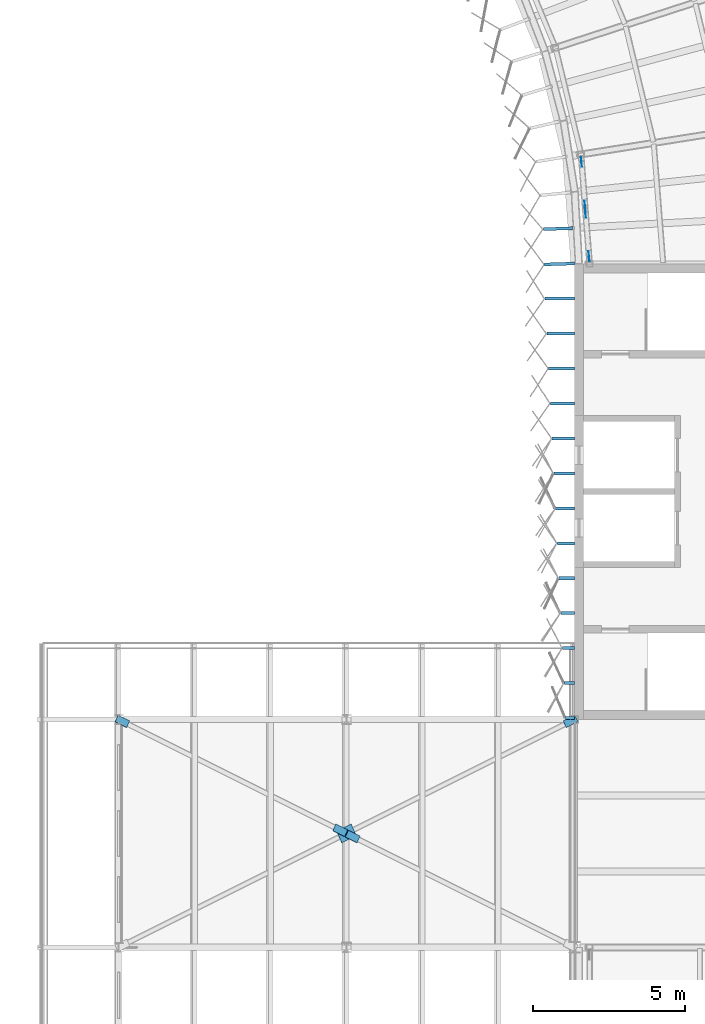
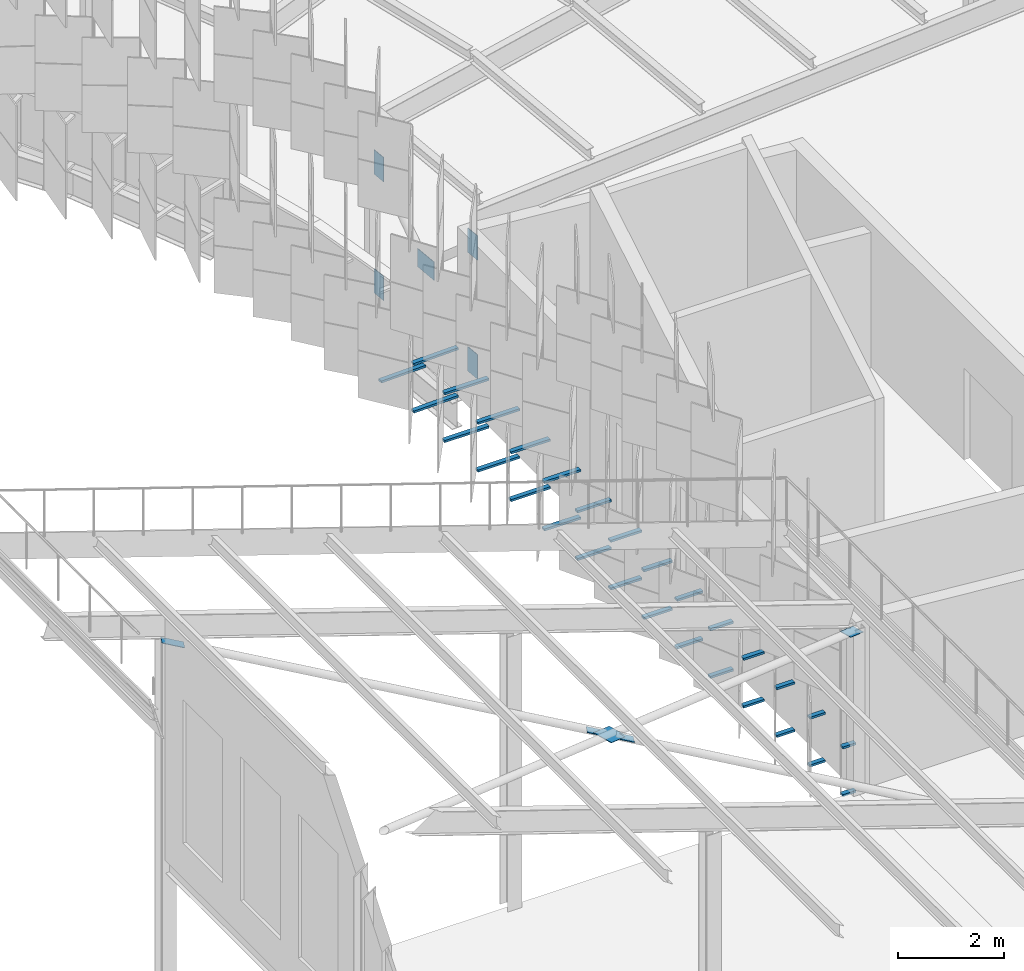
# One storey, part 445 of 483: 39 discrete accessories.
"""IFC4 building model written with IfcOpenShell, lengths in metres."""

from ifc_helpers import new_model, si_unit, direction, frame, origin, origin_2d, place, context, subcontext, project, spatial, polyline, rectangle, outline, extrude, material, layer, layer_set, type_object, element, save


model = new_model("IFC4")

# Units and contexts
model_context = context("Model", 3, precision=1e-05, world=origin(), true_north=direction((0.0, 1.0)))
body_context = subcontext(model_context, "Body", "Model", "MODEL_VIEW")
ifc_project = project(units=[si_unit("LENGTHUNIT", "METRE"), si_unit("AREAUNIT", "SQUARE_METRE"), si_unit("VOLUMEUNIT", "CUBIC_METRE"), si_unit("PLANEANGLEUNIT", "RADIAN"), si_unit("MASSUNIT", "GRAM", prefix="KILO")], contexts=[model_context])

# Site, building, storey
site_placement = place(None, origin())
site = spatial("IfcSite", under=ifc_project, at=site_placement, CompositionType="ELEMENT")
building_placement = place(site_placement, origin())
building = spatial("IfcBuilding", under=site, at=building_placement, Name="Parallax Yard Mobility Hub", CompositionType="ELEMENT")
storey_placement = place(building_placement, frame((0.0, 0.0, 13.199951171875)))
storey = spatial("IfcBuildingStorey", under=building, at=storey_placement, Name="L04", CompositionType="ELEMENT", Elevation=13.199951171875)

# Discrete accessories
ifc_material_1 = material(Name="Steel ASTM A36", Category="steel")
ifc_layer = layer(ifc_material_1, 0.011962890625)
ifc_layer_set = layer_set([ifc_layer], Name="Gusset plate PL12")
discrete_accessory_type_1 = type_object("IfcDiscreteAccessoryType", Name="Gusset plate PL12", PredefinedType="BRACKET", material=ifc_layer_set)
discrete_accessory_1_placement = place(storey_placement, frame((194.73486328125, 74.72998046875, 3.7998046875), z_axis=(0.316512413132, -2.9719174e-05, 0.94858836776), x_axis=(0.856981072788, 0.428749284284, -0.285932670588)))
element("IfcDiscreteAccessory", 1, at=discrete_accessory_1_placement, inside=storey, type_object=discrete_accessory_type_1, Name="Gusset plate PL12 at end 2 of Roof X brace end bay 2 1", PredefinedType="BRACKET", context=body_context, shape_type="SweptSolid", body=[
    extrude(outline(polyline([(0.0, 0.0), (0.44813758942511567, 5.551115123125783e-17), (0.4482910807958328, 0.24827716136113695), (-5.573252400644345e-05, 0.24837645288605745), (0.0, 0.0)])), origin(), (0.0, 0.0, -1.0), 0.011962890625),
])
discrete_accessory_2_placement = place(storey_placement, frame((187.9482421875, 71.163330078125, 6.06201171875), z_axis=(0.315953775405, -0.000207164199, 0.948774561679), x_axis=(-0.857177289292, 0.428615832061, 0.285544327959)))
element("IfcDiscreteAccessory", 2, at=discrete_accessory_2_placement, inside=storey, type_object=discrete_accessory_type_1, Name="Gusset plate PL12 at end 2 of Roof X brace end bay 2 2 (half 1)", PredefinedType="BRACKET", context=body_context, shape_type="SweptSolid", body=[
    extrude(outline(polyline([(0.0, 0.0), (0.44827708521174847, -3.469446951953614e-18), (0.4483695083956155, 0.24837643293553063), (-0.00018656158596949864, 0.24824411746515812), (0.0, 0.0)])), origin(), (0.0, 0.0, -1.0), 0.011962890625),
])
discrete_accessory_3_placement = place(storey_placement, frame((187.0517578125, 71.336669921875, 6.36083984375), z_axis=(0.316364726574, 0.00010356715, 0.948637627893), x_axis=(0.857125645852, -0.428549188831, -0.285799265177)))
element("IfcDiscreteAccessory", 3, at=discrete_accessory_3_placement, inside=storey, type_object=discrete_accessory_type_1, Name="Gusset plate PL12 at end 1 of Roof X brace end bay 2 2 (half 2)", PredefinedType="BRACKET", context=body_context, shape_type="SweptSolid", body=[
    extrude(outline(polyline([(0.0, 0.0), (0.4483468243160137, -1.3877787807814457e-17), (0.44845756929693514, 0.24837643445245794), (-9.851420996034692e-05, 0.24827718926532116), (0.0, 0.0)])), origin(), (0.0, 0.0, -1.0), 0.011962890625),
])
discrete_accessory_4_placement = place(storey_placement, frame((180.3662109375, 74.954345703125, 8.58935546875), z_axis=(0.316069492494, 0.000251179493, 0.948736007973), x_axis=(-0.857204522224, 0.428615884602, 0.285462485355)))
element("IfcDiscreteAccessory", 4, at=discrete_accessory_4_placement, inside=storey, type_object=discrete_accessory_type_1, Name="Gusset plate PL12 at end 2 of Roof X brace end bay 2 2 (half 2)", PredefinedType="BRACKET", context=body_context, shape_type="SweptSolid", body=[
    extrude(outline(polyline([(0.0, 0.0), (0.44827709020723705, 1.3877787807814457e-17), (0.4481602183097496, 0.24827718130806853), (9.240655032108705e-05, 0.24837644195772404), (0.0, 0.0)])), origin(), (0.0, 0.0, -1.0), 0.011962890625),
])
discrete_accessory_5_placement = place(storey_placement, frame((187.345458984375, 70.940185546875, 6.262939453125), z_axis=(0.316324226259, -5.3463492e-05, 0.948651137681), x_axis=(0.856976911048, 0.428891611167, -0.285731621984)))
element("IfcDiscreteAccessory", 5, at=discrete_accessory_5_placement, inside=storey, type_object=discrete_accessory_type_1, Name="Gusset plate PL12 crossing node of Roof X brace end bay 2 2", PredefinedType="BRACKET", context=body_context, shape_type="SweptSolid", body=[
    extrude(outline(polyline([(0.0, 0.0), (0.5601283927074551, 6.938893903907228e-18), (0.5600679743667011, 0.42001212024316414), (9.34035601929395e-06, 0.4199789867900318), (0.0, 0.0)])), origin(), (0.0, 0.0, -1.0), 0.011962890625),
])
discrete_accessory_6_placement = place(storey_placement, frame((0.0, 0.0, 0.150146484375)))
element("IfcDiscreteAccessory", 6, at=discrete_accessory_6_placement, inside=storey, type_object=discrete_accessory_type_1, Name="Gusset plate PL12 RA bay R9-R10 foot on post R9", PredefinedType="BRACKET", context=body_context, shape_type="SweptSolid", body=[
    extrude(outline(polyline([(195.2177734375, 93.508544921875), (195.242919921875, 93.189453125), (195.2548828125, 93.1904296875), (195.229736328125, 93.509521484375), (195.2177734375, 93.508544921875)])), origin(), (0.0, 0.0, 1.0), 0.56201171875),
])
for number, where, name in (
    (7, (0.0, 0.0, 2.8779296875), "Gusset plate PL12 RA bay R9-R10 head on post R10"),
    (8, (0.0, 0.0, 0.150146484375), "Gusset plate PL12 RA bay R9-R10 foot on post R10"),
):
    element("IfcDiscreteAccessory", number, at=place(storey_placement, frame(where)), inside=storey, type_object=discrete_accessory_type_1, Name=name, PredefinedType="BRACKET", context=body_context, shape_type="SweptSolid", body=[
        extrude(outline(polyline([(195.4990234375, 90.089599609375), (195.473876953125, 90.408447265625), (195.4619140625, 90.407470703125), (195.487060546875, 90.08837890625), (195.4990234375, 90.089599609375)])), origin(), (0.0, 0.0, 1.0), 0.56201171875),
    ])
discrete_accessory_7_placement = place(storey_placement, frame((0.0, 0.0, 2.8779296875)))
element("IfcDiscreteAccessory", 9, at=discrete_accessory_7_placement, inside=storey, type_object=discrete_accessory_type_1, Name="Gusset plate PL12 RA bay R9-R10 head on post R9", PredefinedType="BRACKET", context=body_context, shape_type="SweptSolid", body=[
    extrude(outline(polyline([(195.2177734375, 93.508544921875), (195.242919921875, 93.189453125), (195.2548828125, 93.1904296875), (195.229736328125, 93.509521484375), (195.2177734375, 93.508544921875)])), origin(), (0.0, 0.0, 1.0), 0.56201171875),
])
discrete_accessory_8_placement = place(storey_placement, frame((0.0, 0.0, 1.5849609375)))
element("IfcDiscreteAccessory", 10, at=discrete_accessory_8_placement, inside=storey, type_object=discrete_accessory_type_1, Name="Gusset plate PL12 RA bay R9-R10 crossing node", PredefinedType="BRACKET", context=body_context, shape_type="SweptSolid", body=[
    extrude(outline(polyline([(195.330322265625, 92.07763671875), (195.37451171875, 91.519287109375), (195.386474609375, 91.520263671875), (195.34228515625, 92.07861328125), (195.330322265625, 92.07763671875)])), origin(), (0.0, 0.0, 1.0), 0.420166015625),
])
ifc_material_2 = material(Name="Steel ASTM A36, hot-dip galvanised", Category="steel")
discrete_accessory_type_2 = type_object("IfcDiscreteAccessoryType", Name="Hinge bracket plate 100x50", PredefinedType="BRACKET", material=ifc_material_2)
for number, where, z_axis, x_axis, name in (
    (11, (194.47021484375, 91.155029296875, -0.02490234375), (0.0, 0.0, 1.0), (-0.999464587476, -0.032719082822, 0.0), "Hinge bracket plate bay 22.6 level L04"),
    (12, (194.50830078125, 89.993408203125, -0.02490234375), (0.0, 0.0, 1.0), (-0.999464587476, -0.032719082822, 0.0), "Hinge bracket plate bay 23.1 level L04"),
    (13, (194.50830078125, 89.993408203125, 1.06982421875), (0.0, 0.0, 1.0), (-0.999464587476, -0.032719082822, 0.0), "Hinge bracket plate bay 23.1 level L04"),
):
    element("IfcDiscreteAccessory", number, at=place(storey_placement, frame(where, z_axis=z_axis, x_axis=x_axis)), inside=storey, type_object=discrete_accessory_type_2, Name=name, PredefinedType="BRACKET", context=body_context, shape_type="SweptSolid", body=[
        extrude(rectangle(XDim=0.984130859375, YDim=0.10009765625, at=origin_2d()), origin(), (0.0, 0.0, 1.0), 0.050048828125),
    ])
for number, where, z_axis, x_axis, name in (
    (14, (194.518310546875, 88.849609375, -0.02490234375), (0.0, 0.0, 1.0), (-1.0, 0.0, 0.0), "Hinge bracket plate bay 23.2 level L04"),
    (15, (194.518310546875, 88.849609375, 1.06982421875), (0.0, 0.0, 1.0), (-1.0, 0.0, 0.0), "Hinge bracket plate bay 23.2 level L04"),
):
    element("IfcDiscreteAccessory", number, at=place(storey_placement, frame(where, z_axis=z_axis, x_axis=x_axis)), inside=storey, type_object=discrete_accessory_type_2, Name=name, PredefinedType="BRACKET", context=body_context, shape_type="SweptSolid", body=[
        extrude(rectangle(XDim=0.96435546875, YDim=0.10009765625, at=origin_2d()), origin(), (0.0, 0.0, 1.0), 0.050048828125),
    ])
for number, where, z_axis, x_axis, name in (
    (16, (194.547119140625, 87.69921875, -0.02490234375), (0.0, 0.0, 1.0), (-1.0, 0.0, 0.0), "Hinge bracket plate bay 23.3 level L04"),
    (17, (194.547119140625, 87.69921875, 1.06982421875), (0.0, 0.0, 1.0), (-1.0, 0.0, 0.0), "Hinge bracket plate bay 23.3 level L04"),
):
    element("IfcDiscreteAccessory", number, at=place(storey_placement, frame(where, z_axis=z_axis, x_axis=x_axis)), inside=storey, type_object=discrete_accessory_type_2, Name=name, PredefinedType="BRACKET", context=body_context, shape_type="SweptSolid", body=[
        extrude(rectangle(XDim=0.906982421875, YDim=0.10009765625, at=origin_2d()), origin(), (0.0, 0.0, 1.0), 0.050048828125),
    ])
for number, where, z_axis, x_axis, name in (
    (18, (194.57568359375, 86.549072265625, -0.02490234375), (0.0, 0.0, 1.0), (-1.0, 0.0, 0.0), "Hinge bracket plate bay 23.4 level L04"),
    (19, (194.57568359375, 86.549072265625, 1.06982421875), (0.0, 0.0, 1.0), (-1.0, 0.0, 0.0), "Hinge bracket plate bay 23.4 level L04"),
):
    element("IfcDiscreteAccessory", number, at=place(storey_placement, frame(where, z_axis=z_axis, x_axis=x_axis)), inside=storey, type_object=discrete_accessory_type_2, Name=name, PredefinedType="BRACKET", context=body_context, shape_type="SweptSolid", body=[
        extrude(rectangle(XDim=0.849365234375, YDim=0.10009765625, at=origin_2d()), origin(), (0.0, 0.0, 1.0), 0.050048828125),
    ])
for number, where, z_axis, x_axis, name in (
    (20, (194.6044921875, 85.39892578125, -0.02490234375), (0.0, 0.0, 1.0), (-1.0, 0.0, 0.0), "Hinge bracket plate bay 23.5 level L04"),
    (21, (194.6044921875, 85.39892578125, 1.06982421875), (0.0, 0.0, 1.0), (-1.0, 0.0, 0.0), "Hinge bracket plate bay 23.5 level L04"),
):
    element("IfcDiscreteAccessory", number, at=place(storey_placement, frame(where, z_axis=z_axis, x_axis=x_axis)), inside=storey, type_object=discrete_accessory_type_2, Name=name, PredefinedType="BRACKET", context=body_context, shape_type="SweptSolid", body=[
        extrude(rectangle(XDim=0.7919921875, YDim=0.10009765625, at=origin_2d()), origin(), (0.0, 0.0, 1.0), 0.050048828125),
    ])
for number, where, z_axis, x_axis, name in (
    (22, (194.63330078125, 84.248779296875, -0.02490234375), (0.0, 0.0, 1.0), (-1.0, 0.0, 0.0), "Hinge bracket plate bay 23.6 level L04"),
    (23, (194.63330078125, 84.248779296875, 1.06982421875), (0.0, 0.0, 1.0), (-1.0, 0.0, 0.0), "Hinge bracket plate bay 23.6 level L04"),
):
    element("IfcDiscreteAccessory", number, at=place(storey_placement, frame(where, z_axis=z_axis, x_axis=x_axis)), inside=storey, type_object=discrete_accessory_type_2, Name=name, PredefinedType="BRACKET", context=body_context, shape_type="SweptSolid", body=[
        extrude(rectangle(XDim=0.734375, YDim=0.10009765625, at=origin_2d()), origin(), (0.0, 0.0, 1.0), 0.050048828125),
    ])
for number, where, z_axis, x_axis, name in (
    (24, (194.662109375, 83.098388671875, -0.02490234375), (0.0, 0.0, 1.0), (-1.0, 0.0, 0.0), "Hinge bracket plate bay 23.7 level L04"),
    (25, (194.662109375, 83.098388671875, 1.06982421875), (0.0, 0.0, 1.0), (-1.0, 0.0, 0.0), "Hinge bracket plate bay 23.7 level L04"),
):
    element("IfcDiscreteAccessory", number, at=place(storey_placement, frame(where, z_axis=z_axis, x_axis=x_axis)), inside=storey, type_object=discrete_accessory_type_2, Name=name, PredefinedType="BRACKET", context=body_context, shape_type="SweptSolid", body=[
        extrude(rectangle(XDim=0.677001953125, YDim=0.10009765625, at=origin_2d()), origin(), (0.0, 0.0, 1.0), 0.050048828125),
    ])
for number, where, z_axis, x_axis, name in (
    (26, (194.69091796875, 81.948486328125, -0.02490234375), (0.0, 0.0, 1.0), (-1.0, 0.0, 0.0), "Hinge bracket plate bay 23.8 level L04"),
    (27, (194.69091796875, 81.948486328125, 1.06982421875), (0.0, 0.0, 1.0), (-1.0, 0.0, 0.0), "Hinge bracket plate bay 23.8 level L04"),
):
    element("IfcDiscreteAccessory", number, at=place(storey_placement, frame(where, z_axis=z_axis, x_axis=x_axis)), inside=storey, type_object=discrete_accessory_type_2, Name=name, PredefinedType="BRACKET", context=body_context, shape_type="SweptSolid", body=[
        extrude(rectangle(XDim=0.619384765625, YDim=0.10009765625, at=origin_2d()), origin(), (0.0, 0.0, 1.0), 0.050048828125),
    ])
for number, where, z_axis, x_axis, name in (
    (28, (194.719482421875, 80.798095703125, -0.02490234375), (0.0, 0.0, 1.0), (-1.0, 0.0, 0.0), "Hinge bracket plate bay 23.9 level L04"),
    (29, (194.719482421875, 80.798095703125, 1.06982421875), (0.0, 0.0, 1.0), (-1.0, 0.0, 0.0), "Hinge bracket plate bay 23.9 level L04"),
):
    element("IfcDiscreteAccessory", number, at=place(storey_placement, frame(where, z_axis=z_axis, x_axis=x_axis)), inside=storey, type_object=discrete_accessory_type_2, Name=name, PredefinedType="BRACKET", context=body_context, shape_type="SweptSolid", body=[
        extrude(rectangle(XDim=0.56201171875, YDim=0.10009765625, at=origin_2d()), origin(), (0.0, 0.0, 1.0), 0.050048828125),
    ])
for number, where, z_axis, x_axis, name in (
    (30, (194.748291015625, 79.64794921875, -0.02490234375), (0.0, 0.0, 1.0), (-1.0, 0.0, 0.0), "Hinge bracket plate bay 23.10 level L04"),
    (31, (194.748291015625, 79.64794921875, 1.06982421875), (0.0, 0.0, 1.0), (-1.0, 0.0, 0.0), "Hinge bracket plate bay 23.10 level L04"),
):
    element("IfcDiscreteAccessory", number, at=place(storey_placement, frame(where, z_axis=z_axis, x_axis=x_axis)), inside=storey, type_object=discrete_accessory_type_2, Name=name, PredefinedType="BRACKET", context=body_context, shape_type="SweptSolid", body=[
        extrude(rectangle(XDim=0.50439453125, YDim=0.10009765625, at=origin_2d()), origin(), (0.0, 0.0, 1.0), 0.050048828125),
    ])
for number, where, z_axis, x_axis, name in (
    (32, (194.777099609375, 78.497802734375, -0.02490234375), (0.0, 0.0, 1.0), (-1.0, 0.0, 0.0), "Hinge bracket plate bay 23.11 level L04"),
    (33, (194.777099609375, 78.497802734375, 1.06982421875), (0.0, 0.0, 1.0), (-1.0, 0.0, 0.0), "Hinge bracket plate bay 23.11 level L04"),
):
    element("IfcDiscreteAccessory", number, at=place(storey_placement, frame(where, z_axis=z_axis, x_axis=x_axis)), inside=storey, type_object=discrete_accessory_type_2, Name=name, PredefinedType="BRACKET", context=body_context, shape_type="SweptSolid", body=[
        extrude(rectangle(XDim=0.447021484375, YDim=0.10009765625, at=origin_2d()), origin(), (0.0, 0.0, 1.0), 0.050048828125),
    ])
for number, where, z_axis, x_axis, name in (
    (34, (194.805908203125, 77.34765625, -0.02490234375), (0.0, 0.0, 1.0), (-1.0, 0.0, 0.0), "Hinge bracket plate bay 23.12 level L04"),
    (35, (194.805908203125, 77.34765625, 1.06982421875), (0.0, 0.0, 1.0), (-1.0, 0.0, 0.0), "Hinge bracket plate bay 23.12 level L04"),
):
    element("IfcDiscreteAccessory", number, at=place(storey_placement, frame(where, z_axis=z_axis, x_axis=x_axis)), inside=storey, type_object=discrete_accessory_type_2, Name=name, PredefinedType="BRACKET", context=body_context, shape_type="SweptSolid", body=[
        extrude(rectangle(XDim=0.389404296875, YDim=0.10009765625, at=origin_2d()), origin(), (0.0, 0.0, 1.0), 0.050048828125),
    ])
for number, where, z_axis, x_axis, name in (
    (36, (194.834716796875, 76.197509765625, -0.02490234375), (0.0, 0.0, 1.0), (-1.0, 0.0, 0.0), "Hinge bracket plate bay 23.13 level L04"),
    (37, (194.834716796875, 76.197509765625, 1.06982421875), (0.0, 0.0, 1.0), (-1.0, 0.0, 0.0), "Hinge bracket plate bay 23.13 level L04"),
):
    element("IfcDiscreteAccessory", number, at=place(storey_placement, frame(where, z_axis=z_axis, x_axis=x_axis)), inside=storey, type_object=discrete_accessory_type_2, Name=name, PredefinedType="BRACKET", context=body_context, shape_type="SweptSolid", body=[
        extrude(rectangle(XDim=0.331787109375, YDim=0.10009765625, at=origin_2d()), origin(), (0.0, 0.0, 1.0), 0.050048828125),
    ])
for number, where, z_axis, x_axis, name in (
    (38, (194.8583984375, 75.047119140625, -0.02490234375), (0.0, 0.0, 1.0), (-1.0, 0.0, 0.0), "Hinge bracket plate bay 23.14 level L04"),
    (39, (194.8583984375, 75.047119140625, 1.06982421875), (0.0, 0.0, 1.0), (-1.0, 0.0, 0.0), "Hinge bracket plate bay 23.14 level L04"),
):
    element("IfcDiscreteAccessory", number, at=place(storey_placement, frame(where, z_axis=z_axis, x_axis=x_axis)), inside=storey, type_object=discrete_accessory_type_2, Name=name, PredefinedType="BRACKET", context=body_context, shape_type="SweptSolid", body=[
        extrude(rectangle(XDim=0.2841796875, YDim=0.10009765625, at=origin_2d()), origin(), (0.0, 0.0, 1.0), 0.050048828125),
    ])

save(model, "model.ifc")
